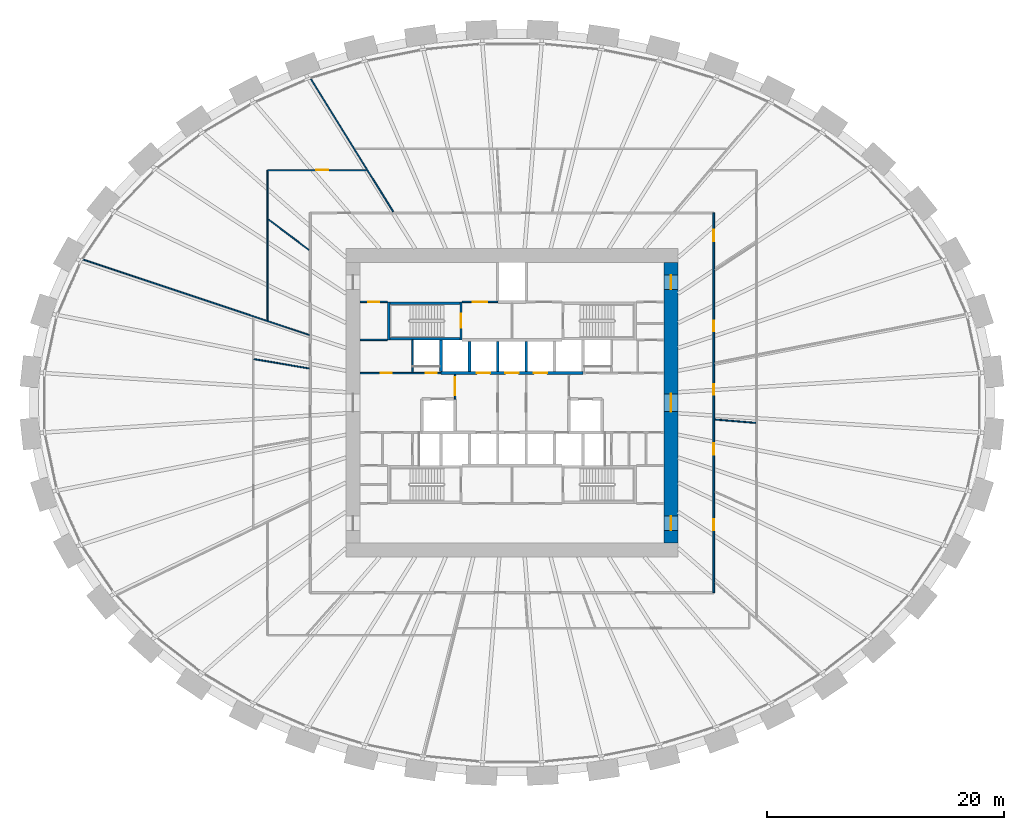
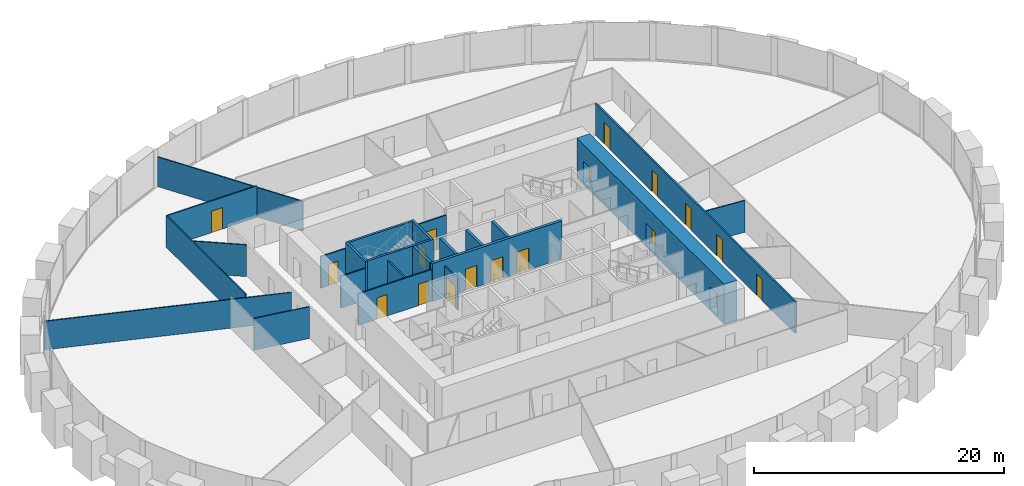
# One storey, part 8 of 11: 24 walls, 18 doors, 18 openings.
"""IFC4 building model written with IfcOpenShell, lengths in metres."""

import ifcopenshell
import ifcopenshell.guid

model = None  # the IFC model being written
_history = None  # IfcOwnerHistory: only IFC2X3 demands one
_inside = {}  # id of a spatial element -> (the spatial element, [elements in it])
_under = {}  # id of a project, library or spatial element -> (it, [spatial elements below it])
_declared = {}  # id of a project -> (the project, [libraries it declares])
_typed = {}  # id of a type object -> (the type object, [elements of that type])
_made_of = {}  # id of a material, layer set ... -> (it, [elements and type objects made of it])


def new_model(schema):
    """Start an empty IFC model of exactly this schema.

    Asked for "IFC4X3", IfcOpenShell would pick the latest addendum, in which some entities
    have other attributes; the version numbers below select the first issue.
    IFC2X3 requires an IfcOwnerHistory on every rooted entity: one is made here for all.
    """
    global model, _history
    if schema == "IFC4X3":
        model = ifcopenshell.file(schema_version=(4, 3, 0, 0))
    else:
        model = ifcopenshell.file(schema=schema)
    _inside.clear()
    _under.clear()
    _declared.clear()
    _typed.clear()
    _made_of.clear()
    _history = None
    if model.schema == "IFC2X3":
        org = make("IfcOrganization", Name="unknown")
        user = make(
            "IfcPersonAndOrganization",
            ThePerson=make("IfcPerson", FamilyName="unknown"),
            TheOrganization=org,
        )
        app = make(
            "IfcApplication",
            ApplicationDeveloper=org,
            Version="unknown",
            ApplicationFullName="unknown",
            ApplicationIdentifier="unknown",
        )
        _history = make(
            "IfcOwnerHistory",
            OwningUser=user,
            OwningApplication=app,
            ChangeAction="ADDED",
            CreationDate=0,
        )
    return model


def make(cls, **values):
    """One entity of the class cls with the attributes given. An attribute that is None is left unset."""
    return model.create_entity(
        cls, **{name: value for name, value in values.items() if value is not None}
    )


def rooted(cls, **values):
    """An entity with a GlobalId (a new one), such as an element, a storey or a relation."""
    return make(cls, GlobalId=ifcopenshell.guid.new(), OwnerHistory=_history, **values)


def si_unit(unit_type, name, prefix=None):
    """IfcSIUnit, for example si_unit("LENGTHUNIT", "METRE", prefix="MILLI")."""
    return make("IfcSIUnit", UnitType=unit_type, Prefix=prefix, Name=name)


def assignment(units):
    """IfcUnitAssignment: the units of a project."""
    return None if units is None else make("IfcUnitAssignment", Units=units)


def point(xyz):
    """IfcCartesianPoint."""
    return None if xyz is None else make("IfcCartesianPoint", Coordinates=xyz)


def direction(xyz):
    """IfcDirection."""
    return None if xyz is None else make("IfcDirection", DirectionRatios=xyz)


def frame(location, z_axis=None, x_axis=None):
    """IfcAxis2Placement3D, a coordinate frame: its origin and axes. An axis left out is left unset."""
    return make(
        "IfcAxis2Placement3D",
        Location=point(location),
        Axis=direction(z_axis),
        RefDirection=direction(x_axis),
    )


def frame_2d(location, x_axis=None):
    """IfcAxis2Placement2D, a coordinate frame in the plane: its origin and x axis."""
    return make(
        "IfcAxis2Placement2D", Location=point(location), RefDirection=direction(x_axis)
    )


def origin():
    """The frame at (0, 0, 0) with its axes left unset."""
    return frame((0.0, 0.0, 0.0))


def place(relative_to, where):
    """IfcLocalPlacement: puts the frame where relative to a parent placement (None: the world)."""
    return make(
        "IfcLocalPlacement", PlacementRelTo=relative_to, RelativePlacement=where
    )


def context(
    kind, dimensions, precision=None, world=None, true_north=None, identifier=None
):
    """IfcGeometricRepresentationContext, for example the 3D "Model" context."""
    return make(
        "IfcGeometricRepresentationContext",
        ContextIdentifier=identifier,
        ContextType=kind,
        CoordinateSpaceDimension=dimensions,
        Precision=precision,
        WorldCoordinateSystem=world,
        TrueNorth=true_north,
    )


def subcontext(parent, identifier, kind, view, scale=None):
    """IfcGeometricRepresentationSubContext, for example "Body" below "Model"."""
    return make(
        "IfcGeometricRepresentationSubContext",
        ContextIdentifier=identifier,
        ContextType=kind,
        ParentContext=parent,
        TargetScale=scale,
        TargetView=view,
    )


def project(units=None, contexts=None):
    """IfcProject with its units and contexts."""
    return rooted(
        "IfcProject",
        Name="project",
        RepresentationContexts=contexts,
        UnitsInContext=assignment(units),
    )


def spatial(cls, under=None, at=None, **own):
    """A site, building, storey or space (cls), placed at a placement, below another one or the project."""
    s = rooted(cls, ObjectPlacement=at, **own)
    if under is not None:
        _under.setdefault(under.id(), (under, []))[1].append(s)
    return s


def profile(cls, at=None, kind="AREA", **sizes):
    """A parametric profile (cls). Its sizes go by their IFC names, for example OverallWidth=200.0."""
    return make(cls, ProfileType=kind, Position=at, **sizes)


def rectangle(**sizes):
    """IfcRectangleProfileDef."""
    return profile("IfcRectangleProfileDef", **sizes)


def extrude(swept, where, along, depth):
    """IfcExtrudedAreaSolid: the profile swept, set in the frame where, extruded along a direction by depth."""
    return make(
        "IfcExtrudedAreaSolid",
        SweptArea=swept,
        Position=where,
        ExtrudedDirection=direction(along),
        Depth=depth,
    )


def shape(context_of_items, identifier, shape_type, items):
    """IfcShapeRepresentation: the items that make up one representation, for example the "Body"."""
    return make(
        "IfcShapeRepresentation",
        ContextOfItems=context_of_items,
        RepresentationIdentifier=identifier,
        RepresentationType=shape_type,
        Items=items,
    )


def source(mapping_origin, context_of_items, identifier, shape_type, items):
    """IfcRepresentationMap: a shape defined once, which mapped items show again and again."""
    return make(
        "IfcRepresentationMap",
        MappingOrigin=mapping_origin,
        MappedRepresentation=shape(context_of_items, identifier, shape_type, items),
    )


def transform(
    local_origin,
    x_axis=None,
    y_axis=None,
    z_axis=None,
    scale=None,
    scale2=None,
    scale3=None,
    uniform=True,
):
    """IfcCartesianTransformationOperator3D, or its non-uniform kind. x_axis, y_axis, z_axis: its Axis1, 2, 3."""
    if uniform:
        return make(
            "IfcCartesianTransformationOperator3D",
            Axis1=direction(x_axis),
            Axis2=direction(y_axis),
            LocalOrigin=point(local_origin),
            Scale=scale,
            Axis3=direction(z_axis),
        )
    return make(
        "IfcCartesianTransformationOperator3DnonUniform",
        Axis1=direction(x_axis),
        Axis2=direction(y_axis),
        LocalOrigin=point(local_origin),
        Scale=scale,
        Axis3=direction(z_axis),
        Scale2=scale2,
        Scale3=scale3,
    )


def mapped(mapping_source, mapping_target):
    """IfcMappedItem: shows the shape of a source again, moved by a transform."""
    return make(
        "IfcMappedItem", MappingSource=mapping_source, MappingTarget=mapping_target
    )


def material(Name=None, Category=None):
    """IfcMaterial."""
    return make("IfcMaterial", Name=Name, Category=Category)


def layer(
    of_material, thickness, ventilated=None, Name=None, Category=None, Priority=None
):
    """IfcMaterialLayer: one layer of a wall or slab, of a material (None: an air gap)."""
    return make(
        "IfcMaterialLayer",
        Material=of_material,
        LayerThickness=thickness,
        IsVentilated=ventilated,
        Name=Name,
        Category=Category,
        Priority=Priority,
    )


def layer_set(layers, Name=None):
    """IfcMaterialLayerSet."""
    return make("IfcMaterialLayerSet", MaterialLayers=layers, LayerSetName=Name)


def made_of(thing, what):
    """Note that an element or type object is made of a material, layer set ...; save() writes the relation."""
    if what is not None:
        _made_of.setdefault(what.id(), (what, []))[1].append(thing)
    return thing


def type_object(cls, material=None, **own):
    """A type object (cls), such as IfcWallType, which elements share."""
    return made_of(rooted(cls, **own), material)


def element(
    cls,
    number,
    at=None,
    inside=None,
    cuts=None,
    type_object=None,
    material=None,
    context=None,
    identifier="Body",
    shape_type=None,
    held_by="IfcProductDefinitionShape",
    body=None,
    shapes=None,
    **own,
):
    """One element of the class cls, such as IfcWall. Its Tag is "e" and its number.

    at: its placement. inside: the storey or other place that contains it. cuts: it is an
    opening in that element (IfcRelVoidsElement). A single representation is given by context,
    identifier, shape_type and body (its items); several are given by shapes. held_by: the class
    of the entity that holds the representations. save() writes the other relations.
    """
    e = rooted(cls, Tag="e%d" % number, ObjectPlacement=at, **own)
    if body is not None:
        shapes = [shape(context, identifier, shape_type, body)]
    if shapes is not None:
        e.Representation = make(held_by, Representations=shapes)
    if inside is not None:
        _inside.setdefault(inside.id(), (inside, []))[1].append(e)
    if cuts is not None:
        rooted(
            "IfcRelVoidsElement", RelatingBuildingElement=cuts, RelatedOpeningElement=e
        )
    if type_object is not None:
        _typed.setdefault(type_object.id(), (type_object, []))[1].append(e)
    return made_of(e, material)


def fill(opening, filler):
    """IfcRelFillsElement: the door or window that sits in an opening."""
    return rooted(
        "IfcRelFillsElement",
        RelatingOpeningElement=opening,
        RelatedBuildingElement=filler,
    )


def aggregate(whole, parts):
    """IfcRelAggregates: a whole, such as a stair, and the parts it consists of."""
    return rooted("IfcRelAggregates", RelatingObject=whole, RelatedObjects=parts)


def save(model, path):
    """Write the relations noted so far, then the file.

    IfcRelAggregates (storeys below a building ...), IfcRelContainedInSpatialStructure (elements
    in a storey), IfcRelDefinesByType, IfcRelAssociatesMaterial and IfcRelDeclares: one each for
    every whole, place, type object, material and project.
    """
    for whole, parts in _under.values():
        aggregate(whole, parts)
    for where, things in _inside.values():
        rooted(
            "IfcRelContainedInSpatialStructure",
            RelatedElements=things,
            RelatingStructure=where,
        )
    for kind, things in _typed.values():
        rooted("IfcRelDefinesByType", RelatedObjects=things, RelatingType=kind)
    for what, things in _made_of.values():
        rooted("IfcRelAssociatesMaterial", RelatedObjects=things, RelatingMaterial=what)
    for by, libraries in _declared.values():
        rooted("IfcRelDeclares", RelatingContext=by, RelatedDefinitions=libraries)
    model.write(path)


model = new_model("IFC4")

# Units and contexts
model_context = context("Model", 3, precision=1e-05, world=origin(), true_north=direction((0.0, 1.0)))
body_context = subcontext(model_context, "Body", "Model", "MODEL_VIEW")
ifc_project = project(units=[si_unit("LENGTHUNIT", "METRE"), si_unit("AREAUNIT", "SQUARE_METRE"), si_unit("VOLUMEUNIT", "CUBIC_METRE"), si_unit("PLANEANGLEUNIT", "RADIAN"), si_unit("MASSUNIT", "GRAM", prefix="KILO")], contexts=[model_context])

# Site, building, storey
site_placement = place(None, origin())
site = spatial("IfcSite", under=ifc_project, at=site_placement, CompositionType="ELEMENT")
building_placement = place(site_placement, origin())
building = spatial("IfcBuilding", under=site, at=building_placement, Name="Embergate Tower", CompositionType="ELEMENT")
storey_placement = place(building_placement, frame((0.0, 0.0, 62.0)))
storey = spatial("IfcBuildingStorey", under=building, at=storey_placement, Name="L11", CompositionType="ELEMENT", Elevation=62.0)

# Wall, openings, doors
ifc_material_1 = material(Name="Concrete C80", Category="concrete")
ifc_layer_1 = layer(ifc_material_1, 1.199951171875)
ifc_layer_set_1 = layer_set([ifc_layer_1], Name="Concrete C80")
wall_type_1 = type_object("IfcWallType", Name="Core outer wall C80 1200", PredefinedType="SHEAR", material=ifc_layer_set_1)
shared_shape_1 = source(origin(), body_context, "Body", "SweptSolid", [
    extrude(rectangle(XDim=23.60009765625, YDim=1.199951171875, at=frame_2d((11.800048828125, 0.0))), origin(), (0.0, 0.0, 1.0), 3.89990234375),
])
wall_1_placement = place(storey_placement, frame((13.39990234375, -11.800048828125, -0.199951171875), z_axis=(0.0, 0.0, 1.0), x_axis=(0.0, 1.0, 0.0)))
wall_1 = element("IfcWall", 1, at=wall_1_placement, inside=storey, type_object=wall_type_1, Name="CW-L11-E", PredefinedType="SHEAR", context=body_context, shape_type="MappedRepresentation", body=[
    mapped(shared_shape_1, transform((0.0, 0.0, 0.0))),
])
shared_shape_2 = source(origin(), body_context, "Body", "SweptSolid", [
    extrude(rectangle(XDim=1.199951171875, YDim=2.10009765625, at=frame_2d((0.60009765625, 1.050048828125))), frame((0.0, 0.60986328125, 0.0), z_axis=(0.0, -1.0, 0.0), x_axis=(1.0, 0.0, 0.0)), (0.0, 0.0, 1.0), 1.219970703125),
])
opening_1_placement = place(wall_1_placement, frame((21.35009765625, 0.0, 0.199951171875)))
opening_1 = element("IfcOpeningElement", 2, at=opening_1_placement, cuts=wall_1, Name="Opening IF-1", PredefinedType="OPENING", context=body_context, shape_type="MappedRepresentation", body=[
    mapped(shared_shape_2, transform((0.0, 0.0, 0.0))),
])
opening_2_placement = place(wall_1_placement, frame((1.050048828125, 0.0, 0.199951171875)))
opening_2 = element("IfcOpeningElement", 3, at=opening_2_placement, cuts=wall_1, Name="Opening IF-1", PredefinedType="OPENING", context=body_context, shape_type="MappedRepresentation", body=[
    mapped(shared_shape_2, transform((0.0, 0.0, 0.0))),
])
shared_shape_3 = source(origin(), body_context, "Body", "SweptSolid", [
    extrude(rectangle(XDim=1.5, YDim=2.10009765625, at=frame_2d((0.75, 1.050048828125))), frame((0.0, 0.60986328125, 0.0), z_axis=(0.0, -1.0, 0.0), x_axis=(1.0, 0.0, 0.0)), (0.0, 0.0, 1.0), 1.219970703125),
])
opening_3_placement = place(wall_1_placement, frame((11.050048828125, 0.0, 0.199951171875)))
opening_3 = element("IfcOpeningElement", 4, at=opening_3_placement, cuts=wall_1, Name="Opening IF-3", PredefinedType="OPENING", context=body_context, shape_type="MappedRepresentation", body=[
    mapped(shared_shape_3, transform((0.0, 0.0, 0.0))),
])
ifc_material_2 = material(Name="Escape fire door 1200")
door_type_1 = type_object("IfcDoorType", Name="Escape fire door 1200", OperationType="SINGLE_SWING_LEFT", PredefinedType="DOOR", material=ifc_material_2)
shared_shape_4 = source(origin(), body_context, "Body", "SweptSolid", [
    extrude(rectangle(XDim=1.199951171875, YDim=2.10009765625, at=frame_2d((0.60009765625, 1.050048828125))), frame((0.0, 0.02490234375, 0.0), z_axis=(0.0, -1.0, 0.0), x_axis=(1.0, 0.0, 0.0)), (0.0, 0.0, 1.0), 0.050048828125),
])
door_1_placement = place(opening_1_placement, origin())
door_1 = element("IfcDoor", 5, at=door_1_placement, inside=storey, type_object=door_type_1, Name="IF-1 door", OperationType="SINGLE_SWING_RIGHT", OverallHeight=2.10009765625, OverallWidth=1.199951171875, PredefinedType="DOOR", context=body_context, shape_type="MappedRepresentation", body=[
    mapped(shared_shape_4, transform((0.0, 0.0, 0.0))),
])
fill(opening_1, door_1)
door_2_placement = place(opening_2_placement, origin())
door_2 = element("IfcDoor", 6, at=door_2_placement, inside=storey, type_object=door_type_1, Name="IF-1 door", OperationType="SINGLE_SWING_LEFT", OverallHeight=2.10009765625, OverallWidth=1.199951171875, PredefinedType="DOOR", context=body_context, shape_type="MappedRepresentation", body=[
    mapped(shared_shape_4, transform((0.0, 0.0, 0.0))),
])
fill(opening_2, door_2)
ifc_material_3 = material(Name="Lobby fire door pair 1500")
door_type_2 = type_object("IfcDoorType", Name="Lobby fire door pair 1500", OperationType="DOUBLE_DOOR_SINGLE_SWING", PredefinedType="DOOR", material=ifc_material_3)
shared_shape_5 = source(origin(), body_context, "Body", "SweptSolid", [
    extrude(rectangle(XDim=1.5, YDim=2.10009765625, at=frame_2d((0.75, 1.050048828125))), frame((0.0, 0.02490234375, 0.0), z_axis=(0.0, -1.0, 0.0), x_axis=(1.0, 0.0, 0.0)), (0.0, 0.0, 1.0), 0.050048828125),
])
door_3_placement = place(opening_3_placement, origin())
door_3 = element("IfcDoor", 7, at=door_3_placement, inside=storey, type_object=door_type_2, Name="IF-3 door", OperationType="DOUBLE_DOOR_SINGLE_SWING", OverallHeight=2.10009765625, OverallWidth=1.5, PredefinedType="DOOR", context=body_context, shape_type="MappedRepresentation", body=[
    mapped(shared_shape_5, transform((0.0, 0.0, 0.0))),
])
fill(opening_3, door_3)

# Wall
ifc_material_4 = material(Name="Concrete C50", Category="concrete")
ifc_layer_2 = layer(ifc_material_4, 0.25)
ifc_layer_set_2 = layer_set([ifc_layer_2], Name="Concrete C50")
wall_type_2 = type_object("IfcWallType", Name="Hoistway wall reinforced concrete 250", PredefinedType="SHEAR", material=ifc_layer_set_2)
shared_shape_6 = source(origin(), body_context, "Body", "SweptSolid", [
    extrude(rectangle(XDim=2.675048828125, YDim=0.25, at=frame_2d((1.33740234375, 0.0))), origin(), (0.0, 0.0, 1.0), 3.699951171875),
])
wall_2_placement = place(storey_placement, frame((-6.0, 2.625, 0.0), z_axis=(0.0, 0.0, 1.0), x_axis=(0.0, 1.0, 0.0)))
element("IfcWall", 8, at=wall_2_placement, inside=storey, type_object=wall_type_2, Name="HW-1 wall", PredefinedType="SHEAR", context=body_context, shape_type="MappedRepresentation", body=[
    mapped(shared_shape_6, transform((0.0, 0.0, 0.0))),
])

# Wall, openings, doors
ifc_material_5 = material(Name="Core partition blockwork 120")
ifc_layer_3 = layer(ifc_material_5, 0.1201171875)
ifc_layer_set_3 = layer_set([ifc_layer_3], Name="Core partition blockwork 120")
wall_type_3 = type_object("IfcWallType", Name="Core partition blockwork 120", PredefinedType="PARTITIONING", material=ifc_layer_set_3)
shared_shape_7 = source(origin(), body_context, "Body", "SweptSolid", [
    extrude(rectangle(XDim=6.800048828125, YDim=0.1201171875, at=frame_2d((3.39990234375, 0.0))), origin(), (0.0, 0.0, 1.0), 3.10009765625),
])
wall_3_placement = place(storey_placement, frame((-12.800048828125, 2.5, 0.0), z_axis=(0.0, 0.0, 1.0), x_axis=(1.0, 0.0, 0.0)))
wall_3 = element("IfcWall", 9, at=wall_3_placement, inside=storey, type_object=wall_type_3, Name="IP-3 wall", PredefinedType="PARTITIONING", context=body_context, shape_type="MappedRepresentation", body=[
    mapped(shared_shape_7, transform((0.0, 0.0, 0.0))),
])
shared_shape_8 = source(origin(), body_context, "Body", "SweptSolid", [
    extrude(rectangle(XDim=0.89990234375, YDim=2.10009765625, at=frame_2d((0.449951171875, 1.050048828125))), frame((0.0, 0.070068359375, 0.0), z_axis=(0.0, -1.0, 0.0), x_axis=(1.0, 0.0, 0.0)), (0.0, 0.0, 1.0), 0.14013671875),
])
opening_4_placement = place(wall_3_placement, frame((5.550048828125, 0.0, 0.0)))
opening_4 = element("IfcOpeningElement", 10, at=opening_4_placement, cuts=wall_3, Name="Opening ID-1", PredefinedType="OPENING", context=body_context, shape_type="MappedRepresentation", body=[
    mapped(shared_shape_8, transform((0.0, 0.0, 0.0))),
])
opening_5_placement = place(wall_3_placement, frame((1.75, 0.0, 0.0)))
opening_5 = element("IfcOpeningElement", 11, at=opening_5_placement, cuts=wall_3, Name="Opening ID-1", PredefinedType="OPENING", context=body_context, shape_type="MappedRepresentation", body=[
    mapped(shared_shape_8, transform((0.0, 0.0, 0.0))),
])
ifc_material_6 = material(Name="Interior door 900")
door_type_3 = type_object("IfcDoorType", Name="Interior door 900", OperationType="SINGLE_SWING_LEFT", PredefinedType="DOOR", material=ifc_material_6)
shared_shape_9 = source(origin(), body_context, "Body", "SweptSolid", [
    extrude(rectangle(XDim=0.89990234375, YDim=2.10009765625, at=frame_2d((0.449951171875, 1.050048828125))), frame((0.0, 0.02490234375, 0.0), z_axis=(0.0, -1.0, 0.0), x_axis=(1.0, 0.0, 0.0)), (0.0, 0.0, 1.0), 0.050048828125),
])
door_4_placement = place(opening_4_placement, origin())
door_4 = element("IfcDoor", 12, at=door_4_placement, inside=storey, type_object=door_type_3, Name="ID-1 door", OperationType="SINGLE_SWING_LEFT", OverallHeight=2.10009765625, OverallWidth=0.89990234375, PredefinedType="DOOR", context=body_context, shape_type="MappedRepresentation", body=[
    mapped(shared_shape_9, transform((0.0, 0.0, 0.0))),
])
fill(opening_4, door_4)
door_5_placement = place(opening_5_placement, origin())
door_5 = element("IfcDoor", 13, at=door_5_placement, inside=storey, type_object=door_type_3, Name="ID-1 door", OperationType="SINGLE_SWING_RIGHT", OverallHeight=2.10009765625, OverallWidth=0.89990234375, PredefinedType="DOOR", context=body_context, shape_type="MappedRepresentation", body=[
    mapped(shared_shape_9, transform((0.0, 0.0, 0.0))),
])
fill(opening_5, door_5)

# Walls
ifc_layer_4 = layer(ifc_material_4, 0.199951171875)
ifc_layer_set_4 = layer_set([ifc_layer_4], Name="Concrete C50")
wall_type_4 = type_object("IfcWallType", Name="Stair enclosure wall reinforced concrete 250", PredefinedType="SHEAR", material=ifc_layer_set_4)
shared_shape_10 = source(origin(), body_context, "Body", "SweptSolid", [
    extrude(rectangle(XDim=6.300048828125, YDim=0.199951171875, at=frame_2d((3.14990234375, 0.0))), origin(), (0.0, 0.0, 1.0), 3.699951171875),
])
for number, where, z_axis, x_axis, name in (
    (14, (-4.199951171875, 5.39990234375, 0.0), (0.0, 0.0, 1.0), (-1.0, 0.0, 0.0), "SE-1 wall"),
    (15, (-4.199951171875, 8.39990234375, 0.0), (0.0, 0.0, 1.0), (-1.0, 0.0, 0.0), "SE-1 wall"),
):
    element("IfcWall", number, at=place(storey_placement, frame(where, z_axis=z_axis, x_axis=x_axis)), inside=storey, type_object=wall_type_4, Name=name, PredefinedType="SHEAR", context=body_context, shape_type="MappedRepresentation", body=[
        mapped(shared_shape_10, transform((0.0, 0.0, 0.0))),
    ])
shared_shape_11 = source(origin(), body_context, "Body", "SweptSolid", [
    extrude(rectangle(XDim=2.739990234375, YDim=0.1201171875, at=frame_2d((1.3701171875, 0.0))), origin(), (0.0, 0.0, 1.0), 3.10009765625),
])
wall_4_placement = place(storey_placement, frame((-8.39990234375, 5.300048828125, 0.0), z_axis=(0.0, 0.0, 1.0), x_axis=(0.0, -1.0, 0.0)))
element("IfcWall", 16, at=wall_4_placement, inside=storey, type_object=wall_type_3, Name="IP-3 wall", PredefinedType="PARTITIONING", context=body_context, shape_type="MappedRepresentation", body=[
    mapped(shared_shape_11, transform((0.0, 0.0, 0.0))),
])
shared_shape_12 = source(origin(), body_context, "Body", "SweptSolid", [
    extrude(rectangle(XDim=2.550048828125, YDim=0.25, at=frame_2d((1.27490234375, 0.0))), origin(), (0.0, 0.0, 1.0), 3.699951171875),
])
for number, where, z_axis, x_axis, name in (
    (17, (-3.60009765625, 2.625, 0.0), (0.0, 0.0, 1.0), (0.0, 1.0, 0.0), "HW-1 wall"),
    (18, (-1.199951171875, 2.625, 0.0), (0.0, 0.0, 1.0), (0.0, 1.0, 0.0), "HW-1 wall"),
    (19, (1.199951171875, 2.625, 0.0), (0.0, 0.0, 1.0), (0.0, 1.0, 0.0), "HW-1 wall"),
):
    element("IfcWall", number, at=place(storey_placement, frame(where, z_axis=z_axis, x_axis=x_axis)), inside=storey, type_object=wall_type_2, Name=name, PredefinedType="SHEAR", context=body_context, shape_type="MappedRepresentation", body=[
        mapped(shared_shape_12, transform((0.0, 0.0, 0.0))),
    ])

# Wall, openings, doors
shared_shape_13 = source(origin(), body_context, "Body", "SweptSolid", [
    extrude(rectangle(XDim=12.0, YDim=0.25, at=frame_2d((6.0, 0.0))), origin(), (0.0, 0.0, 1.0), 3.699951171875),
])
wall_5_placement = place(storey_placement, frame((-6.0, 2.5, 0.0), z_axis=(0.0, 0.0, 1.0), x_axis=(1.0, 0.0, 0.0)))
wall_5 = element("IfcWall", 20, at=wall_5_placement, inside=storey, type_object=wall_type_2, Name="HW-1 wall", PredefinedType="SHEAR", context=body_context, shape_type="MappedRepresentation", body=[
    mapped(shared_shape_13, transform((0.0, 0.0, 0.0))),
])
shared_shape_14 = source(origin(), body_context, "Body", "SweptSolid", [
    extrude(rectangle(XDim=1.10009765625, YDim=2.10009765625, at=frame_2d((0.550048828125, 1.050048828125))), frame((0.0, 0.135009765625, 0.0), z_axis=(0.0, -1.0, 0.0), x_axis=(1.0, 0.0, 0.0)), (0.0, 0.0, 1.0), 0.27001953125),
])
opening_6_placement = place(wall_5_placement, frame((3.050048828125, 0.0, 0.0)))
opening_6 = element("IfcOpeningElement", 21, at=opening_6_placement, cuts=wall_5, Name="Opening LD", PredefinedType="OPENING", context=body_context, shape_type="MappedRepresentation", body=[
    mapped(shared_shape_14, transform((0.0, 0.0, 0.0))),
])
opening_7_placement = place(wall_5_placement, frame((5.449951171875, 0.0, 0.0)))
opening_7 = element("IfcOpeningElement", 22, at=opening_7_placement, cuts=wall_5, Name="Opening LD", PredefinedType="OPENING", context=body_context, shape_type="MappedRepresentation", body=[
    mapped(shared_shape_14, transform((0.0, 0.0, 0.0))),
])
opening_8_placement = place(wall_5_placement, frame((7.85009765625, 0.0, 0.0)))
opening_8 = element("IfcOpeningElement", 23, at=opening_8_placement, cuts=wall_5, Name="Opening LD", PredefinedType="OPENING", context=body_context, shape_type="MappedRepresentation", body=[
    mapped(shared_shape_14, transform((0.0, 0.0, 0.0))),
])
ifc_material_7 = material(Name="Landing door sliding 1100")
door_type_4 = type_object("IfcDoorType", Name="Landing door sliding 1100", OperationType="SLIDING_TO_LEFT", PredefinedType="DOOR", material=ifc_material_7)
shared_shape_15 = source(origin(), body_context, "Body", "SweptSolid", [
    extrude(rectangle(XDim=1.10009765625, YDim=2.10009765625, at=frame_2d((0.550048828125, 1.050048828125))), frame((0.0, 0.02490234375, 0.0), z_axis=(0.0, -1.0, 0.0), x_axis=(1.0, 0.0, 0.0)), (0.0, 0.0, 1.0), 0.050048828125),
])
door_6_placement = place(opening_6_placement, origin())
door_6 = element("IfcDoor", 24, at=door_6_placement, inside=storey, type_object=door_type_4, Name="LD door", OperationType="SLIDING_TO_LEFT", OverallHeight=2.10009765625, OverallWidth=1.10009765625, PredefinedType="DOOR", context=body_context, shape_type="MappedRepresentation", body=[
    mapped(shared_shape_15, transform((0.0, 0.0, 0.0))),
])
fill(opening_6, door_6)
door_7_placement = place(opening_7_placement, origin())
door_7 = element("IfcDoor", 25, at=door_7_placement, inside=storey, type_object=door_type_4, Name="LD door", OperationType="SLIDING_TO_LEFT", OverallHeight=2.10009765625, OverallWidth=1.10009765625, PredefinedType="DOOR", context=body_context, shape_type="MappedRepresentation", body=[
    mapped(shared_shape_15, transform((0.0, 0.0, 0.0))),
])
fill(opening_7, door_7)
door_8_placement = place(opening_8_placement, origin())
door_8 = element("IfcDoor", 26, at=door_8_placement, inside=storey, type_object=door_type_4, Name="LD door", OperationType="SLIDING_TO_RIGHT", OverallHeight=2.10009765625, OverallWidth=1.10009765625, PredefinedType="DOOR", context=body_context, shape_type="MappedRepresentation", body=[
    mapped(shared_shape_15, transform((0.0, 0.0, 0.0))),
])
fill(opening_8, door_8)

# Wall, opening, door
shared_shape_16 = source(origin(), body_context, "Body", "SweptSolid", [
    extrude(rectangle(XDim=2.074951171875, YDim=0.1201171875, at=frame_2d((1.03759765625, 0.0))), origin(), (0.0, 0.0, 1.0), 3.10009765625),
])
wall_6_placement = place(storey_placement, frame((-4.800048828125, 2.375, 0.0), z_axis=(0.0, 0.0, 1.0), x_axis=(0.0, -1.0, 0.0)))
wall_6 = element("IfcWall", 27, at=wall_6_placement, inside=storey, type_object=wall_type_3, Name="IP-3 wall", PredefinedType="PARTITIONING", context=body_context, shape_type="MappedRepresentation", body=[
    mapped(shared_shape_16, transform((0.0, 0.0, 0.0))),
])
shared_shape_17 = source(origin(), body_context, "Body", "SweptSolid", [
    extrude(rectangle(XDim=1.5, YDim=2.10009765625, at=frame_2d((0.75, 1.050048828125))), frame((0.0, 0.070068359375, 0.0), z_axis=(0.0, -1.0, 0.0), x_axis=(1.0, 0.0, 0.0)), (0.0, 0.0, 1.0), 0.14013671875),
])
opening_9_placement = place(wall_6_placement, frame((0.22509765625, 0.0, 0.0)))
opening_9 = element("IfcOpeningElement", 28, at=opening_9_placement, cuts=wall_6, Name="Opening IF-3", PredefinedType="OPENING", context=body_context, shape_type="MappedRepresentation", body=[
    mapped(shared_shape_17, transform((0.0, 0.0, 0.0))),
])
door_9_placement = place(opening_9_placement, origin())
door_9 = element("IfcDoor", 29, at=door_9_placement, inside=storey, type_object=door_type_2, Name="IF-3 door", OperationType="DOUBLE_DOOR_SINGLE_SWING", OverallHeight=2.10009765625, OverallWidth=1.5, PredefinedType="DOOR", context=body_context, shape_type="MappedRepresentation", body=[
    mapped(shared_shape_5, transform((0.0, 0.0, 0.0))),
])
fill(opening_9, door_9)

shared_shape_18 = source(origin(), body_context, "Body", "SweptSolid", [
    extrude(rectangle(XDim=3.199951171875, YDim=0.199951171875, at=frame_2d((1.60009765625, 0.0))), origin(), (0.0, 0.0, 1.0), 3.699951171875),
])
wall_7_placement = place(storey_placement, frame((-4.300048828125, 5.300048828125, 0.0), z_axis=(0.0, 0.0, 1.0), x_axis=(0.0, 1.0, 0.0)))
wall_7 = element("IfcWall", 30, at=wall_7_placement, inside=storey, type_object=wall_type_4, Name="SE-1 wall", PredefinedType="SHEAR", context=body_context, shape_type="MappedRepresentation", body=[
    mapped(shared_shape_18, transform((0.0, 0.0, 0.0))),
])
shared_shape_19 = source(origin(), body_context, "Body", "SweptSolid", [
    extrude(rectangle(XDim=1.199951171875, YDim=2.10009765625, at=frame_2d((0.60009765625, 1.050048828125))), frame((0.0, 0.10986328125, 0.0), z_axis=(0.0, -1.0, 0.0), x_axis=(1.0, 0.0, 0.0)), (0.0, 0.0, 1.0), 0.219970703125),
])
opening_10_placement = place(wall_7_placement, frame((1.0, 0.0, 0.0)))
opening_10 = element("IfcOpeningElement", 31, at=opening_10_placement, cuts=wall_7, Name="Opening IF-2", PredefinedType="OPENING", context=body_context, shape_type="MappedRepresentation", body=[
    mapped(shared_shape_19, transform((0.0, 0.0, 0.0))),
])
ifc_material_8 = material(Name="Stair enclosure door 1200")
door_type_5 = type_object("IfcDoorType", Name="Stair enclosure door 1200", OperationType="SINGLE_SWING_LEFT", PredefinedType="DOOR", material=ifc_material_8)
door_10_placement = place(opening_10_placement, origin())
door_10 = element("IfcDoor", 32, at=door_10_placement, inside=storey, type_object=door_type_5, Name="IF-2 door", OperationType="SINGLE_SWING_RIGHT", OverallHeight=2.10009765625, OverallWidth=1.199951171875, PredefinedType="DOOR", context=body_context, shape_type="MappedRepresentation", body=[
    mapped(shared_shape_4, transform((0.0, 0.0, 0.0))),
])
fill(opening_10, door_10)

# Wall
wall_8_placement = place(storey_placement, frame((-10.39990234375, 8.5, 0.0), z_axis=(0.0, 0.0, 1.0), x_axis=(0.0, -1.0, 0.0)))
element("IfcWall", 33, at=wall_8_placement, inside=storey, type_object=wall_type_4, Name="SE-1 wall", PredefinedType="SHEAR", context=body_context, shape_type="MappedRepresentation", body=[
    mapped(shared_shape_18, transform((0.0, 0.0, 0.0))),
])

# Wall, opening, door
shared_shape_20 = source(origin(), body_context, "Body", "SweptSolid", [
    extrude(rectangle(XDim=3.0, YDim=0.1201171875, at=frame_2d((1.5, 0.0))), origin(), (0.0, 0.0, 1.0), 3.10009765625),
])
wall_9_placement = place(storey_placement, frame((-1.199951171875, 8.5, 0.0), z_axis=(0.0, 0.0, 1.0), x_axis=(-1.0, 0.0, 0.0)))
wall_9 = element("IfcWall", 34, at=wall_9_placement, inside=storey, type_object=wall_type_3, Name="IP-3 wall", PredefinedType="PARTITIONING", context=body_context, shape_type="MappedRepresentation", body=[
    mapped(shared_shape_20, transform((0.0, 0.0, 0.0))),
])
shared_shape_21 = source(origin(), body_context, "Body", "SweptSolid", [
    extrude(rectangle(XDim=1.199951171875, YDim=2.10009765625, at=frame_2d((0.60009765625, 1.050048828125))), frame((0.0, 0.070068359375, 0.0), z_axis=(0.0, -1.0, 0.0), x_axis=(1.0, 0.0, 0.0)), (0.0, 0.0, 1.0), 0.14013671875),
])
opening_11_placement = place(wall_9_placement, frame((0.89990234375, 0.0, 0.0)))
opening_11 = element("IfcOpeningElement", 35, at=opening_11_placement, cuts=wall_9, Name="Opening IF-3f", PredefinedType="OPENING", context=body_context, shape_type="MappedRepresentation", body=[
    mapped(shared_shape_21, transform((0.0, 0.0, 0.0))),
])
ifc_material_9 = material(Name="Lobby fire door pair 1200")
door_type_6 = type_object("IfcDoorType", Name="Lobby fire door pair 1200", OperationType="DOUBLE_DOOR_SINGLE_SWING", PredefinedType="DOOR", material=ifc_material_9)
door_11_placement = place(opening_11_placement, origin())
door_11 = element("IfcDoor", 36, at=door_11_placement, inside=storey, type_object=door_type_6, Name="IF-3 door", OperationType="DOUBLE_DOOR_SINGLE_SWING", OverallHeight=2.10009765625, OverallWidth=1.199951171875, PredefinedType="DOOR", context=body_context, shape_type="MappedRepresentation", body=[
    mapped(shared_shape_4, transform((0.0, 0.0, 0.0))),
])
fill(opening_11, door_11)

shared_shape_22 = source(origin(), body_context, "Body", "SweptSolid", [
    extrude(rectangle(XDim=2.300048828125, YDim=0.1201171875, at=frame_2d((1.14990234375, 0.0))), origin(), (0.0, 0.0, 1.0), 3.10009765625),
])
wall_10_placement = place(storey_placement, frame((-12.800048828125, 8.5, 0.0), z_axis=(0.0, 0.0, 1.0), x_axis=(1.0, 0.0, 0.0)))
wall_10 = element("IfcWall", 37, at=wall_10_placement, inside=storey, type_object=wall_type_3, Name="IP-3 wall", PredefinedType="PARTITIONING", context=body_context, shape_type="MappedRepresentation", body=[
    mapped(shared_shape_22, transform((0.0, 0.0, 0.0))),
])
opening_12_placement = place(wall_10_placement, frame((0.699951171875, 0.0, 0.0)))
opening_12 = element("IfcOpeningElement", 38, at=opening_12_placement, cuts=wall_10, Name="Opening ID-1", PredefinedType="OPENING", context=body_context, shape_type="MappedRepresentation", body=[
    mapped(shared_shape_8, transform((0.0, 0.0, 0.0))),
])
door_12_placement = place(opening_12_placement, origin())
door_12 = element("IfcDoor", 39, at=door_12_placement, inside=storey, type_object=door_type_3, Name="ID-1 door", OperationType="SINGLE_SWING_RIGHT", OverallHeight=2.10009765625, OverallWidth=0.89990234375, PredefinedType="DOOR", context=body_context, shape_type="MappedRepresentation", body=[
    mapped(shared_shape_9, transform((0.0, 0.0, 0.0))),
])
fill(opening_12, door_12)

# Walls
wall_11_placement = place(storey_placement, frame((-10.5, 5.300048828125, 0.0), z_axis=(0.0, 0.0, 1.0), x_axis=(-1.0, 0.0, 0.0)))
element("IfcWall", 40, at=wall_11_placement, inside=storey, type_object=wall_type_3, Name="IP-3 wall", PredefinedType="PARTITIONING", context=body_context, shape_type="MappedRepresentation", body=[
    mapped(shared_shape_22, transform((0.0, 0.0, 0.0))),
])
ifc_material_10 = material(Name="Partition dry-lined 100")
ifc_layer_5 = layer(ifc_material_10, 0.10009765625)
ifc_layer_set_5 = layer_set([ifc_layer_5], Name="Partition dry-lined 100")
wall_type_5 = type_object("IfcWallType", Name="Partition dry-lined 100", PredefinedType="PARTITIONING", material=ifc_layer_set_5)
shared_shape_23 = source(origin(), body_context, "Body", "SweptSolid", [
    extrude(rectangle(XDim=13.247802734375, YDim=0.10009765625, at=frame_2d((6.6240234375, 0.0))), origin(), (0.0, 0.0, 1.0), 2.89990234375),
])
wall_12_placement = place(storey_placement, frame((-10.006103515625, 16.10107421875, 0.0), z_axis=(0.0, 0.0, 1.0), x_axis=(-0.527850413099, 0.849337354289, 0.0)))
element("IfcWall", 41, at=wall_12_placement, inside=storey, type_object=wall_type_5, Name="IP-1 wall", PredefinedType="PARTITIONING", context=body_context, shape_type="MappedRepresentation", body=[
    mapped(shared_shape_23, transform((0.0, 0.0, 0.0))),
])

# Wall, openings, doors
ifc_material_11 = material(Name="Corridor wall dry-lined 150 wet")
ifc_layer_6 = layer(ifc_material_11, 0.14990234375)
ifc_layer_set_6 = layer_set([ifc_layer_6], Name="Corridor wall dry-lined 150 wet")
wall_type_6 = type_object("IfcWallType", Name="Corridor wall dry-lined 150 wet", PredefinedType="PLUMBINGWALL", material=ifc_layer_set_6)
shared_shape_24 = source(origin(), body_context, "Body", "SweptSolid", [
    extrude(rectangle(XDim=32.0, YDim=0.14990234375, at=frame_2d((16.0, 0.0))), origin(), (0.0, 0.0, 1.0), 3.10009765625),
])
wall_13_placement = place(storey_placement, frame((17.0, 16.0, 0.0), z_axis=(0.0, 0.0, 1.0), x_axis=(0.0, -1.0, 0.0)))
wall_13 = element("IfcWall", 42, at=wall_13_placement, inside=storey, type_object=wall_type_6, Name="IP-2 wall", PredefinedType="PLUMBINGWALL", context=body_context, shape_type="MappedRepresentation", body=[
    mapped(shared_shape_24, transform((0.0, 0.0, 0.0))),
])
shared_shape_25 = source(origin(), body_context, "Body", "SweptSolid", [
    extrude(rectangle(XDim=0.89990234375, YDim=2.10009765625, at=frame_2d((0.449951171875, 1.050048828125))), frame((0.0, 0.0849609375, 0.0), z_axis=(0.0, -1.0, 0.0), x_axis=(1.0, 0.0, 0.0)), (0.0, 0.0, 1.0), 0.169921875),
])
opening_13_placement = place(wall_13_placement, frame((25.8310546875, 0.0, 0.0)))
opening_13 = element("IfcOpeningElement", 43, at=opening_13_placement, cuts=wall_13, Name="Opening IF-1c", PredefinedType="OPENING", context=body_context, shape_type="MappedRepresentation", body=[
    mapped(shared_shape_25, transform((0.0, 0.0, 0.0))),
])
shared_shape_26 = source(origin(), body_context, "Body", "SweptSolid", [
    extrude(rectangle(XDim=1.0, YDim=2.10009765625, at=frame_2d((0.5, 1.050048828125))), frame((0.0, 0.0849609375, 0.0), z_axis=(0.0, -1.0, 0.0), x_axis=(1.0, 0.0, 0.0)), (0.0, 0.0, 1.0), 0.169921875),
])
opening_14_placement = place(wall_13_placement, frame((19.40087890625, 0.0, 0.0)))
opening_14 = element("IfcOpeningElement", 44, at=opening_14_placement, cuts=wall_13, Name="Opening ID-2", PredefinedType="OPENING", context=body_context, shape_type="MappedRepresentation", body=[
    mapped(shared_shape_26, transform((0.0, 0.0, 0.0))),
])
opening_15_placement = place(wall_13_placement, frame((14.429931640625, 0.0, 0.0)))
opening_15 = element("IfcOpeningElement", 45, at=opening_15_placement, cuts=wall_13, Name="Opening IF-1c", PredefinedType="OPENING", context=body_context, shape_type="MappedRepresentation", body=[
    mapped(shared_shape_25, transform((0.0, 0.0, 0.0))),
])
opening_16_placement = place(wall_13_placement, frame((9.073974609375, 0.0, 0.0)))
opening_16 = element("IfcOpeningElement", 46, at=opening_16_placement, cuts=wall_13, Name="Opening IF-1c", PredefinedType="OPENING", context=body_context, shape_type="MappedRepresentation", body=[
    mapped(shared_shape_25, transform((0.0, 0.0, 0.0))),
])
opening_17_placement = place(wall_13_placement, frame((1.406005859375, 0.0, 0.0)))
opening_17 = element("IfcOpeningElement", 47, at=opening_17_placement, cuts=wall_13, Name="Opening ID-2", PredefinedType="OPENING", context=body_context, shape_type="MappedRepresentation", body=[
    mapped(shared_shape_26, transform((0.0, 0.0, 0.0))),
])
ifc_material_12 = material(Name="Escape fire door 900")
door_type_7 = type_object("IfcDoorType", Name="Escape fire door 900", OperationType="SINGLE_SWING_LEFT", PredefinedType="DOOR", material=ifc_material_12)
door_13_placement = place(opening_13_placement, origin())
door_13 = element("IfcDoor", 48, at=door_13_placement, inside=storey, type_object=door_type_7, Name="IF-1 door", OperationType="SINGLE_SWING_RIGHT", OverallHeight=2.10009765625, OverallWidth=0.89990234375, PredefinedType="DOOR", context=body_context, shape_type="MappedRepresentation", body=[
    mapped(shared_shape_9, transform((0.0, 0.0, 0.0))),
])
fill(opening_13, door_13)
door_14_placement = place(opening_15_placement, origin())
door_14 = element("IfcDoor", 49, at=door_14_placement, inside=storey, type_object=door_type_7, Name="IF-1 door", OperationType="SINGLE_SWING_RIGHT", OverallHeight=2.10009765625, OverallWidth=0.89990234375, PredefinedType="DOOR", context=body_context, shape_type="MappedRepresentation", body=[
    mapped(shared_shape_9, transform((0.0, 0.0, 0.0))),
])
fill(opening_15, door_14)
door_15_placement = place(opening_16_placement, origin())
door_15 = element("IfcDoor", 50, at=door_15_placement, inside=storey, type_object=door_type_7, Name="IF-1 door", OperationType="SINGLE_SWING_LEFT", OverallHeight=2.10009765625, OverallWidth=0.89990234375, PredefinedType="DOOR", context=body_context, shape_type="MappedRepresentation", body=[
    mapped(shared_shape_9, transform((0.0, 0.0, 0.0))),
])
fill(opening_16, door_15)
ifc_material_13 = material(Name="Interior door 1000")
door_type_8 = type_object("IfcDoorType", Name="Interior door 1000", OperationType="SINGLE_SWING_LEFT", PredefinedType="DOOR", material=ifc_material_13)
shared_shape_27 = source(origin(), body_context, "Body", "SweptSolid", [
    extrude(rectangle(XDim=1.0, YDim=2.10009765625, at=frame_2d((0.5, 1.050048828125))), frame((0.0, 0.02490234375, 0.0), z_axis=(0.0, -1.0, 0.0), x_axis=(1.0, 0.0, 0.0)), (0.0, 0.0, 1.0), 0.050048828125),
])
door_16_placement = place(opening_14_placement, origin())
door_16 = element("IfcDoor", 51, at=door_16_placement, inside=storey, type_object=door_type_8, Name="ID-2 door", OperationType="SINGLE_SWING_RIGHT", OverallHeight=2.10009765625, OverallWidth=1.0, PredefinedType="DOOR", context=body_context, shape_type="MappedRepresentation", body=[
    mapped(shared_shape_27, transform((0.0, 0.0, 0.0))),
])
fill(opening_14, door_16)
door_17_placement = place(opening_17_placement, origin())
door_17 = element("IfcDoor", 52, at=door_17_placement, inside=storey, type_object=door_type_8, Name="ID-2 door", OperationType="SINGLE_SWING_LEFT", OverallHeight=2.10009765625, OverallWidth=1.0, PredefinedType="DOOR", context=body_context, shape_type="MappedRepresentation", body=[
    mapped(shared_shape_27, transform((0.0, 0.0, 0.0))),
])
fill(opening_17, door_17)

# Walls
shared_shape_28 = source(origin(), body_context, "Body", "SweptSolid", [
    extrude(rectangle(XDim=3.48681640625, YDim=0.10009765625, at=frame_2d((1.743408203125, 0.0))), origin(), (0.0, 0.0, 1.0), 3.10009765625),
])
wall_14_placement = place(storey_placement, frame((17.074951171875, -1.410888671875, 0.0), z_axis=(0.0, 0.0, 1.0), x_axis=(0.99660441733, -0.082338541154, 0.0)))
element("IfcWall", 53, at=wall_14_placement, inside=storey, type_object=wall_type_5, Name="IP-1 wall", PredefinedType="PARTITIONING", context=body_context, shape_type="MappedRepresentation", body=[
    mapped(shared_shape_28, transform((0.0, 0.0, 0.0))),
])
shared_shape_29 = source(origin(), body_context, "Body", "SweptSolid", [
    extrude(rectangle(XDim=4.274169921875, YDim=0.10009765625, at=frame_2d((2.13720703125, 0.0))), origin(), (0.0, 0.0, 1.0), 3.10009765625),
])
wall_15_placement = place(storey_placement, frame((-17.10498046875, 12.8740234375, 0.0), z_axis=(0.0, 0.0, 1.0), x_axis=(-0.799011862494, 0.601315261401, 0.0)))
element("IfcWall", 54, at=wall_15_placement, inside=storey, type_object=wall_type_5, Name="IP-1 wall", PredefinedType="PARTITIONING", context=body_context, shape_type="MappedRepresentation", body=[
    mapped(shared_shape_29, transform((0.0, 0.0, 0.0))),
])
shared_shape_30 = source(origin(), body_context, "Body", "SweptSolid", [
    extrude(rectangle(XDim=12.652099609375, YDim=0.10009765625, at=frame_2d((6.326171875, 0.0))), origin(), (0.0, 0.0, 1.0), 3.10009765625),
])
wall_16_placement = place(storey_placement, frame((-20.60009765625, 6.947998046875, 0.0), z_axis=(0.0, 0.0, 1.0), x_axis=(0.0, 1.0, 0.0)))
element("IfcWall", 55, at=wall_16_placement, inside=storey, type_object=wall_type_5, Name="IP-1 wall", PredefinedType="PARTITIONING", context=body_context, shape_type="MappedRepresentation", body=[
    mapped(shared_shape_30, transform((0.0, 0.0, 0.0))),
])

# Wall, opening, door
shared_shape_31 = source(origin(), body_context, "Body", "SweptSolid", [
    extrude(rectangle(XDim=8.3291015625, YDim=0.10009765625, at=frame_2d((4.16455078125, 0.0))), origin(), (0.0, 0.0, 1.0), 3.10009765625),
])
wall_17_placement = place(storey_placement, frame((-20.60009765625, 19.60009765625, 0.0), z_axis=(0.0, 0.0, 1.0), x_axis=(1.0, 0.0, 0.0)))
wall_17 = element("IfcWall", 56, at=wall_17_placement, inside=storey, type_object=wall_type_5, Name="IP-1 wall", PredefinedType="PARTITIONING", context=body_context, shape_type="MappedRepresentation", body=[
    mapped(shared_shape_31, transform((0.0, 0.0, 0.0))),
])
shared_shape_32 = source(origin(), body_context, "Body", "SweptSolid", [
    extrude(rectangle(XDim=1.0, YDim=2.10009765625, at=frame_2d((0.5, 1.050048828125))), frame((0.0, 0.06005859375, 0.0), z_axis=(0.0, -1.0, 0.0), x_axis=(1.0, 0.0, 0.0)), (0.0, 0.0, 1.0), 0.1201171875),
])
opening_18_placement = place(wall_17_placement, frame((4.118896484375, 0.0, 0.0)))
opening_18 = element("IfcOpeningElement", 57, at=opening_18_placement, cuts=wall_17, Name="Opening ID-2", PredefinedType="OPENING", context=body_context, shape_type="MappedRepresentation", body=[
    mapped(shared_shape_32, transform((0.0, 0.0, 0.0))),
])
door_18_placement = place(opening_18_placement, origin())
door_18 = element("IfcDoor", 58, at=door_18_placement, inside=storey, type_object=door_type_8, Name="ID-2 door", OperationType="SINGLE_SWING_LEFT", OverallHeight=2.10009765625, OverallWidth=1.0, PredefinedType="DOOR", context=body_context, shape_type="MappedRepresentation", body=[
    mapped(shared_shape_27, transform((0.0, 0.0, 0.0))),
])
fill(opening_18, door_18)

# Walls
shared_shape_33 = source(origin(), body_context, "Body", "SweptSolid", [
    extrude(rectangle(XDim=20.171630859375, YDim=0.10009765625, at=frame_2d((10.0859375, 0.0))), origin(), (0.0, 0.0, 1.0), 2.800048828125),
])
wall_18_placement = place(storey_placement, frame((-36.22412109375, 12.095947265625, 0.0), z_axis=(0.0, 0.0, 1.0), x_axis=(0.948516141482, -0.316728794631, 0.0)))
element("IfcWall", 59, at=wall_18_placement, inside=storey, type_object=wall_type_5, Name="IP-1 wall", PredefinedType="PARTITIONING", context=body_context, shape_type="MappedRepresentation", body=[
    mapped(shared_shape_33, transform((0.0, 0.0, 0.0))),
])
shared_shape_34 = source(origin(), body_context, "Body", "SweptSolid", [
    extrude(rectangle(XDim=4.72509765625, YDim=0.10009765625, at=frame_2d((2.362548828125, 0.0))), origin(), (0.0, 0.0, 1.0), 3.10009765625),
])
wall_19_placement = place(storey_placement, frame((-17.0830078125, 2.89111328125, 0.0), z_axis=(0.0, 0.0, 1.0), x_axis=(-0.986001540785, 0.166736203538, 0.0)))
element("IfcWall", 60, at=wall_19_placement, inside=storey, type_object=wall_type_5, Name="IP-1 wall", PredefinedType="PARTITIONING", context=body_context, shape_type="MappedRepresentation", body=[
    mapped(shared_shape_34, transform((0.0, 0.0, 0.0))),
])

save(model, "model.ifc")
